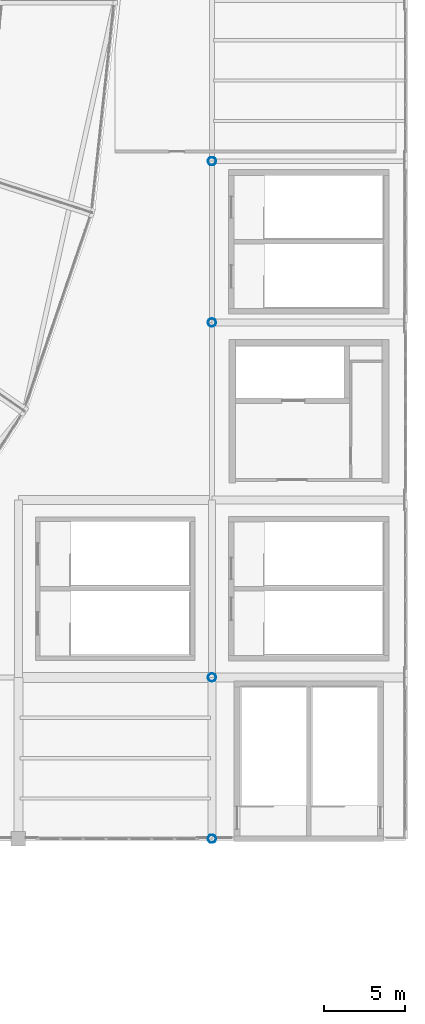
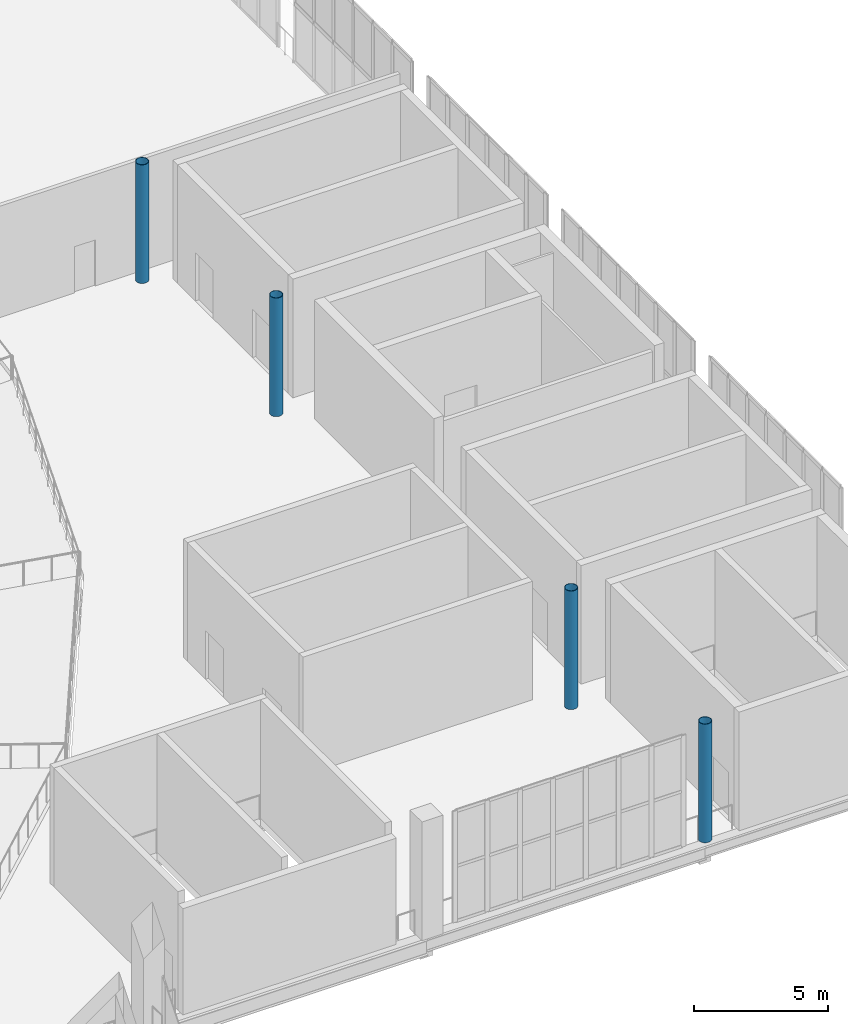
# One storey, part 3 of 74: 4 columns.
"""IFC4 building model written with IfcOpenShell, lengths in metres."""

import ifcopenshell
import ifcopenshell.guid

model = None  # the IFC model being written
_history = None  # IfcOwnerHistory: only IFC2X3 demands one
_inside = {}  # id of a spatial element -> (the spatial element, [elements in it])
_under = {}  # id of a project, library or spatial element -> (it, [spatial elements below it])
_declared = {}  # id of a project -> (the project, [libraries it declares])
_typed = {}  # id of a type object -> (the type object, [elements of that type])
_made_of = {}  # id of a material, layer set ... -> (it, [elements and type objects made of it])


def new_model(schema):
    """Start an empty IFC model of exactly this schema.

    Asked for "IFC4X3", IfcOpenShell would pick the latest addendum, in which some entities
    have other attributes; the version numbers below select the first issue.
    IFC2X3 requires an IfcOwnerHistory on every rooted entity: one is made here for all.
    """
    global model, _history
    if schema == "IFC4X3":
        model = ifcopenshell.file(schema_version=(4, 3, 0, 0))
    else:
        model = ifcopenshell.file(schema=schema)
    _inside.clear()
    _under.clear()
    _declared.clear()
    _typed.clear()
    _made_of.clear()
    _history = None
    if model.schema == "IFC2X3":
        org = make("IfcOrganization", Name="unknown")
        user = make(
            "IfcPersonAndOrganization",
            ThePerson=make("IfcPerson", FamilyName="unknown"),
            TheOrganization=org,
        )
        app = make(
            "IfcApplication",
            ApplicationDeveloper=org,
            Version="unknown",
            ApplicationFullName="unknown",
            ApplicationIdentifier="unknown",
        )
        _history = make(
            "IfcOwnerHistory",
            OwningUser=user,
            OwningApplication=app,
            ChangeAction="ADDED",
            CreationDate=0,
        )
    return model


def make(cls, **values):
    """One entity of the class cls with the attributes given. An attribute that is None is left unset."""
    return model.create_entity(
        cls, **{name: value for name, value in values.items() if value is not None}
    )


def rooted(cls, **values):
    """An entity with a GlobalId (a new one), such as an element, a storey or a relation."""
    return make(cls, GlobalId=ifcopenshell.guid.new(), OwnerHistory=_history, **values)


def si_unit(unit_type, name, prefix=None):
    """IfcSIUnit, for example si_unit("LENGTHUNIT", "METRE", prefix="MILLI")."""
    return make("IfcSIUnit", UnitType=unit_type, Prefix=prefix, Name=name)


def assignment(units):
    """IfcUnitAssignment: the units of a project."""
    return None if units is None else make("IfcUnitAssignment", Units=units)


def point(xyz):
    """IfcCartesianPoint."""
    return None if xyz is None else make("IfcCartesianPoint", Coordinates=xyz)


def direction(xyz):
    """IfcDirection."""
    return None if xyz is None else make("IfcDirection", DirectionRatios=xyz)


def frame(location, z_axis=None, x_axis=None):
    """IfcAxis2Placement3D, a coordinate frame: its origin and axes. An axis left out is left unset."""
    return make(
        "IfcAxis2Placement3D",
        Location=point(location),
        Axis=direction(z_axis),
        RefDirection=direction(x_axis),
    )


def frame_2d(location, x_axis=None):
    """IfcAxis2Placement2D, a coordinate frame in the plane: its origin and x axis."""
    return make(
        "IfcAxis2Placement2D", Location=point(location), RefDirection=direction(x_axis)
    )


def origin():
    """The frame at (0, 0, 0) with its axes left unset."""
    return frame((0.0, 0.0, 0.0))


def origin_2d():
    """The frame at (0, 0) in the plane with its x axis left unset."""
    return frame_2d((0.0, 0.0))


def place(relative_to, where):
    """IfcLocalPlacement: puts the frame where relative to a parent placement (None: the world)."""
    return make(
        "IfcLocalPlacement", PlacementRelTo=relative_to, RelativePlacement=where
    )


def context(
    kind, dimensions, precision=None, world=None, true_north=None, identifier=None
):
    """IfcGeometricRepresentationContext, for example the 3D "Model" context."""
    return make(
        "IfcGeometricRepresentationContext",
        ContextIdentifier=identifier,
        ContextType=kind,
        CoordinateSpaceDimension=dimensions,
        Precision=precision,
        WorldCoordinateSystem=world,
        TrueNorth=true_north,
    )


def subcontext(parent, identifier, kind, view, scale=None):
    """IfcGeometricRepresentationSubContext, for example "Body" below "Model"."""
    return make(
        "IfcGeometricRepresentationSubContext",
        ContextIdentifier=identifier,
        ContextType=kind,
        ParentContext=parent,
        TargetScale=scale,
        TargetView=view,
    )


def project(units=None, contexts=None):
    """IfcProject with its units and contexts."""
    return rooted(
        "IfcProject",
        Name="project",
        RepresentationContexts=contexts,
        UnitsInContext=assignment(units),
    )


def spatial(cls, under=None, at=None, **own):
    """A site, building, storey or space (cls), placed at a placement, below another one or the project."""
    s = rooted(cls, ObjectPlacement=at, **own)
    if under is not None:
        _under.setdefault(under.id(), (under, []))[1].append(s)
    return s


def profile(cls, at=None, kind="AREA", **sizes):
    """A parametric profile (cls). Its sizes go by their IFC names, for example OverallWidth=200.0."""
    return make(cls, ProfileType=kind, Position=at, **sizes)


def hollow_circle(**sizes):
    """IfcCircleHollowProfileDef."""
    return profile("IfcCircleHollowProfileDef", **sizes)


def extrude(swept, where, along, depth):
    """IfcExtrudedAreaSolid: the profile swept, set in the frame where, extruded along a direction by depth."""
    return make(
        "IfcExtrudedAreaSolid",
        SweptArea=swept,
        Position=where,
        ExtrudedDirection=direction(along),
        Depth=depth,
    )


def shape(context_of_items, identifier, shape_type, items):
    """IfcShapeRepresentation: the items that make up one representation, for example the "Body"."""
    return make(
        "IfcShapeRepresentation",
        ContextOfItems=context_of_items,
        RepresentationIdentifier=identifier,
        RepresentationType=shape_type,
        Items=items,
    )


def material(Name=None, Category=None):
    """IfcMaterial."""
    return make("IfcMaterial", Name=Name, Category=Category)


def material_profile(
    of_material, cross_section, Name=None, Category=None, Priority=None
):
    """IfcMaterialProfile: a cross section and its material."""
    return make(
        "IfcMaterialProfile",
        Name=Name,
        Material=of_material,
        Profile=cross_section,
        Priority=Priority,
        Category=Category,
    )


def profile_set(profiles, Name=None, composite=None):
    """IfcMaterialProfileSet."""
    return make(
        "IfcMaterialProfileSet",
        Name=Name,
        MaterialProfiles=profiles,
        CompositeProfile=composite,
    )


def made_of(thing, what):
    """Note that an element or type object is made of a material, layer set ...; save() writes the relation."""
    if what is not None:
        _made_of.setdefault(what.id(), (what, []))[1].append(thing)
    return thing


def type_object(cls, material=None, **own):
    """A type object (cls), such as IfcWallType, which elements share."""
    return made_of(rooted(cls, **own), material)


def element(
    cls,
    number,
    at=None,
    inside=None,
    cuts=None,
    type_object=None,
    material=None,
    context=None,
    identifier="Body",
    shape_type=None,
    held_by="IfcProductDefinitionShape",
    body=None,
    shapes=None,
    **own,
):
    """One element of the class cls, such as IfcWall. Its Tag is "e" and its number.

    at: its placement. inside: the storey or other place that contains it. cuts: it is an
    opening in that element (IfcRelVoidsElement). A single representation is given by context,
    identifier, shape_type and body (its items); several are given by shapes. held_by: the class
    of the entity that holds the representations. save() writes the other relations.
    """
    e = rooted(cls, Tag="e%d" % number, ObjectPlacement=at, **own)
    if body is not None:
        shapes = [shape(context, identifier, shape_type, body)]
    if shapes is not None:
        e.Representation = make(held_by, Representations=shapes)
    if inside is not None:
        _inside.setdefault(inside.id(), (inside, []))[1].append(e)
    if cuts is not None:
        rooted(
            "IfcRelVoidsElement", RelatingBuildingElement=cuts, RelatedOpeningElement=e
        )
    if type_object is not None:
        _typed.setdefault(type_object.id(), (type_object, []))[1].append(e)
    return made_of(e, material)


def aggregate(whole, parts):
    """IfcRelAggregates: a whole, such as a stair, and the parts it consists of."""
    return rooted("IfcRelAggregates", RelatingObject=whole, RelatedObjects=parts)


def save(model, path):
    """Write the relations noted so far, then the file.

    IfcRelAggregates (storeys below a building ...), IfcRelContainedInSpatialStructure (elements
    in a storey), IfcRelDefinesByType, IfcRelAssociatesMaterial and IfcRelDeclares: one each for
    every whole, place, type object, material and project.
    """
    for whole, parts in _under.values():
        aggregate(whole, parts)
    for where, things in _inside.values():
        rooted(
            "IfcRelContainedInSpatialStructure",
            RelatedElements=things,
            RelatingStructure=where,
        )
    for kind, things in _typed.values():
        rooted("IfcRelDefinesByType", RelatedObjects=things, RelatingType=kind)
    for what, things in _made_of.values():
        rooted("IfcRelAssociatesMaterial", RelatedObjects=things, RelatingMaterial=what)
    for by, libraries in _declared.values():
        rooted("IfcRelDeclares", RelatingContext=by, RelatedDefinitions=libraries)
    model.write(path)


model = new_model("IFC4")

# Units and contexts
model_context = context("Model", 3, precision=1e-05, world=origin(), true_north=direction((0.0, 1.0)))
body_context = subcontext(model_context, "Body", "Model", "MODEL_VIEW")
ifc_project = project(units=[si_unit("LENGTHUNIT", "METRE"), si_unit("AREAUNIT", "SQUARE_METRE"), si_unit("VOLUMEUNIT", "CUBIC_METRE"), si_unit("PLANEANGLEUNIT", "RADIAN"), si_unit("MASSUNIT", "GRAM", prefix="KILO")], contexts=[model_context])

# Site, building, storey
site_placement = place(None, origin())
site = spatial("IfcSite", under=ifc_project, at=site_placement, CompositionType="ELEMENT")
building_placement = place(site_placement, origin())
building = spatial("IfcBuilding", under=site, at=building_placement, Name="Brinegate Civic Arena", CompositionType="ELEMENT")
storey_placement = place(building_placement, frame((0.0, 0.0, 19.199951171875)))
storey = spatial("IfcBuildingStorey", under=building, at=storey_placement, Name="L04", CompositionType="ELEMENT", Elevation=19.199951171875)

# Columns
ifc_material = material(Name="Steel S355", Category="steel")
ifc_material_profile = material_profile(ifc_material, hollow_circle(Radius=0.25390625, WallThickness=0.02001953125, at=origin_2d()), Name="CHS508X20")
ifc_profile_set = profile_set([ifc_material_profile], Name="Steel S355")
column_type = type_object("IfcColumnType", Name="COL-SC06-CHS508", PredefinedType="COLUMN", material=ifc_profile_set)
for number, where, z_axis, x_axis, name in (
    (1, (156.0, 10.0, 0.0), (0.0, 0.0, 1.0), (1.0, 0.0, 0.0), "Space Frame East Drum Column E-01-L04"),
    (2, (156.0, 20.0, 0.0), (0.0, 0.0, 1.0), (1.0, 0.0, 0.0), "Space Frame East Drum Column E-02-L04"),
    (3, (156.0, 42.0, 0.0), (0.0, 0.0, 1.0), (1.0, 0.0, 0.0), "Space Frame East Drum Column E-03-L04"),
    (4, (156.0, 52.0, 0.0), (0.0, 0.0, 1.0), (1.0, 0.0, 0.0), "Space Frame East Drum Column E-04-L04"),
):
    element("IfcColumn", number, at=place(storey_placement, frame(where, z_axis=z_axis, x_axis=x_axis)), inside=storey, type_object=column_type, Name=name, PredefinedType="COLUMN", context=body_context, shape_type="SweptSolid", body=[
        extrude(hollow_circle(Radius=0.25390625, WallThickness=0.02001953125, at=origin_2d()), origin(), (0.0, 0.0, 1.0), 5.400146484375),
    ])

save(model, "model.ifc")
